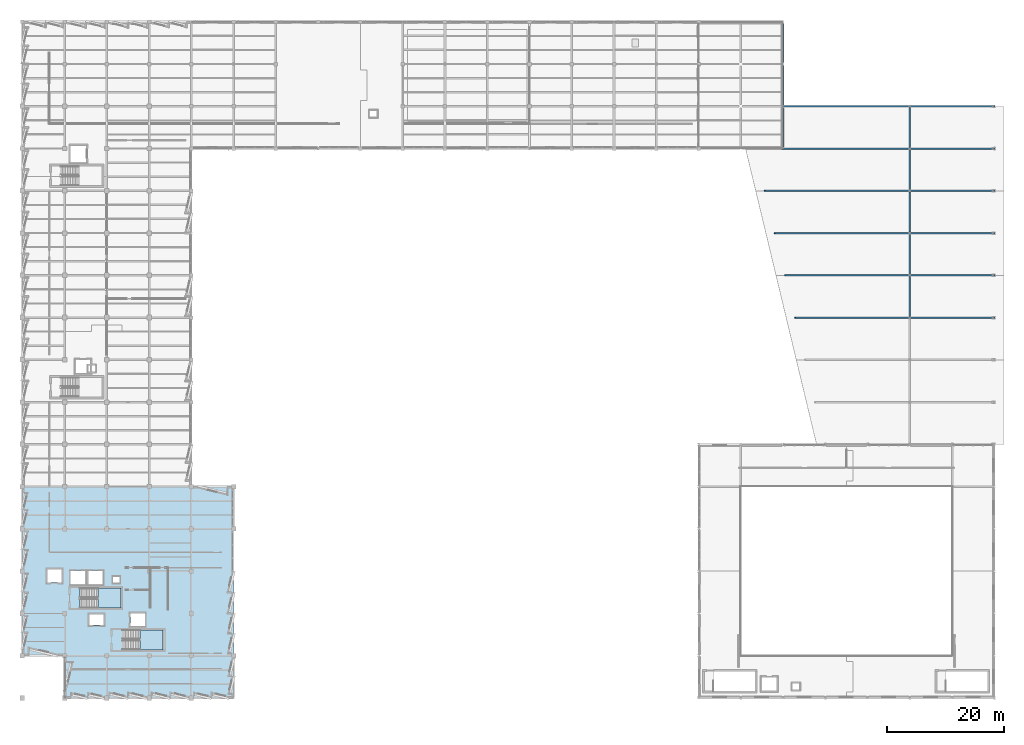
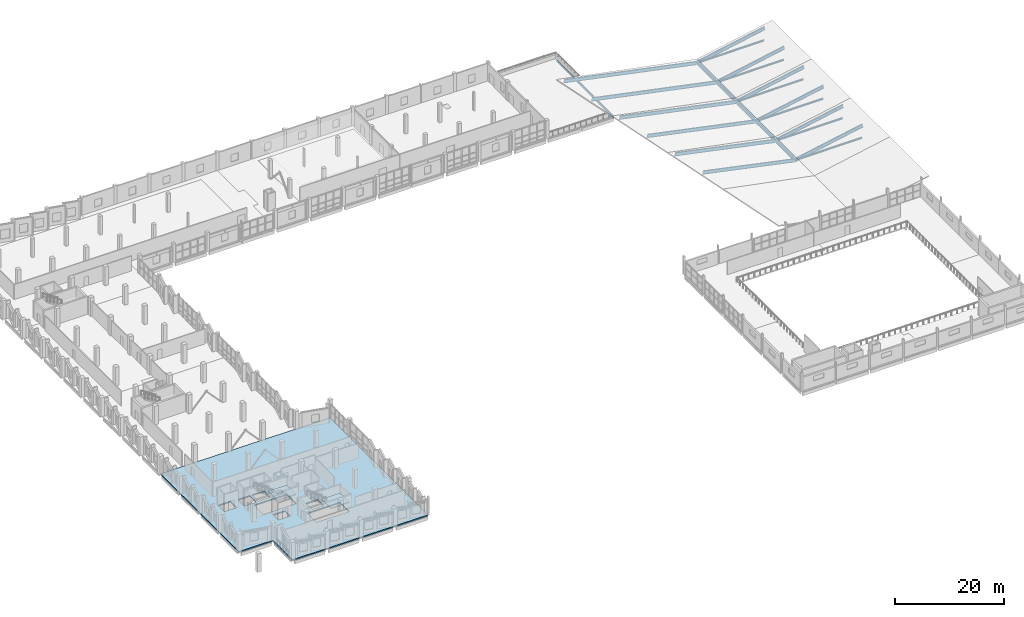
# One storey, part 58 of 94: 20 beams, 6 members, 3 slabs, 2 elements without a shape of their own.
"""IFC4 building model written with IfcOpenShell, lengths in metres."""

from ifc_helpers import new_model, si_unit, direction, frame, origin, origin_2d, place, context, subcontext, project, spatial, polyline, i_section, outline, extrude, material, layer, layer_set, material_profile, profile_set, type_object, element, aggregate, save


model = new_model("IFC4")

# Units and contexts
model_context = context("Model", 3, precision=1e-05, world=origin(), true_north=direction((0.0, 1.0)))
body_context = subcontext(model_context, "Body", "Model", "MODEL_VIEW")
ifc_project = project(units=[si_unit("LENGTHUNIT", "METRE"), si_unit("AREAUNIT", "SQUARE_METRE"), si_unit("VOLUMEUNIT", "CUBIC_METRE"), si_unit("PLANEANGLEUNIT", "RADIAN"), si_unit("MASSUNIT", "GRAM", prefix="KILO")], contexts=[model_context])

# Site, building, storey
site_placement = place(None, origin())
site = spatial("IfcSite", under=ifc_project, at=site_placement, CompositionType="ELEMENT")
building_placement = place(site_placement, origin())
building = spatial("IfcBuilding", under=site, at=building_placement, Name="Kalmorath City Hall", CompositionType="ELEMENT")
storey_placement = place(building_placement, frame((0.0, 0.0, 14.699951171875)))
storey = spatial("IfcBuildingStorey", under=building, at=storey_placement, Name="L03", CompositionType="ELEMENT", Elevation=14.699951171875)

# Members
ifc_material_1 = material(Name="Steel ASTM A992 Grade 50", Category="steel")
ifc_material_profile_1 = material_profile(ifc_material_1, i_section(OverallWidth=0.256103515625, OverallDepth=0.360107421875, WebThickness=0.011474609375, FlangeThickness=0.02001953125, FilletRadius=0.014892578125, at=origin_2d()), Name="W14X74")
ifc_profile_set_1 = profile_set([ifc_material_profile_1], Name="Steel ASTM A992 Grade 50")
member_type = type_object("IfcMemberType", Name="Steel butterfly V-strut W14X74", PredefinedType="BRACE", material=ifc_profile_set_1)
for number, where, z_axis, x_axis, name in (
    (1, (165.471923828125, 64.800048828125, 0.0), (-0.999984355294, 0.0, -0.00559367211), (0.0, -1.0, 0.0), "Library butterfly V-strut BR6-4"),
    (2, (165.471923828125, 72.0, 0.0), (-0.999984355294, 0.0, -0.00559367211), (0.0, -1.0, 0.0), "Library butterfly V-strut BR6-5"),
    (3, (165.471923828125, 79.199951171875, 0.0), (-0.999984355294, 0.0, -0.00559367211), (0.0, -1.0, 0.0), "Library butterfly V-strut BR6-6"),
    (4, (165.471923828125, 86.39990234375, 0.0), (-0.999984355294, 0.0, -0.00559367211), (0.0, -1.0, 0.0), "Library butterfly V-strut BR6-7"),
    (5, (165.471923828125, 93.60009765625, 0.0), (-0.999984355294, 0.0, -0.00559367211), (0.0, -1.0, 0.0), "Library butterfly V-strut BR6-8"),
    (6, (165.471923828125, 100.800048828125, 0.0), (-0.999984355294, 0.0, -0.00559367211), (0.0, -1.0, 0.0), "Library butterfly V-strut BR6-9"),
):
    element("IfcMember", number, at=place(storey_placement, frame(where, z_axis=z_axis, x_axis=x_axis)), inside=storey, type_object=member_type, Name=name, PredefinedType="BRACE", context=body_context, shape_type="SweptSolid", body=[
        extrude(i_section(OverallWidth=0.256103515625, OverallDepth=0.360107421875, WebThickness=0.011474609375, FlangeThickness=0.02001953125, FilletRadius=0.014892578125, at=origin_2d()), origin(), (0.0, 0.0, 1.0), 14.272216796875),
    ])

# Beams
ifc_material_2 = material(Name="Steel ASTM A992 Grade 50", Category="steel")
ifc_material_profile_2 = material_profile(ifc_material_2, i_section(OverallWidth=0.26611328125, OverallDepth=0.758056640625, WebThickness=0.013916015625, FlangeThickness=0.019287109375, FilletRadius=0.02001953125, at=origin_2d()), Name="W30X108")
ifc_profile_set_2 = profile_set([ifc_material_profile_2], Name="Steel ASTM A992 Grade 50")
beam_type_1 = type_object("IfcBeamType", Name="Steel butterfly roof girder W30X108", PredefinedType="BEAM", material=ifc_profile_set_2)
beam_1_placement = place(storey_placement, frame((131.6142578125, 64.800048828125, 4.019287109375), z_axis=(0.97879273033, 0.0, -0.204853096272), x_axis=(0.0, 1.0, 0.0)))
element("IfcBeam", 7, at=beam_1_placement, inside=storey, type_object=beam_type_1, Name="Library butterfly west girder SG4-4", PredefinedType="BEAM", context=body_context, shape_type="SweptSolid", body=[
    extrude(i_section(OverallWidth=0.26611328125, OverallDepth=0.758056640625, WebThickness=0.013916015625, FlangeThickness=0.019287109375, FilletRadius=0.02001953125, at=origin_2d()), origin(), (0.0, 0.0, 1.0), 20.010009765625),
])
beam_2_placement = place(storey_placement, frame((151.199951171875, 64.800048828125, -0.079833984375), z_axis=(0.981618247843, 0.0, 0.190854959332), x_axis=(0.0, 1.0, 0.0)))
element("IfcBeam", 8, at=beam_2_placement, inside=storey, type_object=beam_type_1, Name="Library butterfly east girder SG4-4", PredefinedType="BEAM", context=body_context, shape_type="SweptSolid", body=[
    extrude(i_section(OverallWidth=0.26611328125, OverallDepth=0.758056640625, WebThickness=0.013916015625, FlangeThickness=0.019287109375, FilletRadius=0.02001953125, at=origin_2d()), origin(), (0.0, 0.0, 1.0), 14.669921875),
])
beam_3_placement = place(storey_placement, frame((129.8857421875, 72.0, 4.3564453125), z_axis=(0.979018746593, 0.0, -0.203770198554), x_axis=(0.0, 1.0, 0.0)))
element("IfcBeam", 9, at=beam_3_placement, inside=storey, type_object=beam_type_1, Name="Library butterfly west girder SG4-5", PredefinedType="BEAM", context=body_context, shape_type="SweptSolid", body=[
    extrude(i_section(OverallWidth=0.26611328125, OverallDepth=0.758056640625, WebThickness=0.013916015625, FlangeThickness=0.019287109375, FilletRadius=0.02001953125, at=origin_2d()), origin(), (0.0, 0.0, 1.0), 21.77099609375),
])
beam_4_placement = place(storey_placement, frame((151.199951171875, 72.0, -0.079833984375), z_axis=(0.981618247843, 0.0, 0.190854959332), x_axis=(0.0, 1.0, 0.0)))
element("IfcBeam", 10, at=beam_4_placement, inside=storey, type_object=beam_type_1, Name="Library butterfly east girder SG4-5", PredefinedType="BEAM", context=body_context, shape_type="SweptSolid", body=[
    extrude(i_section(OverallWidth=0.26611328125, OverallDepth=0.758056640625, WebThickness=0.013916015625, FlangeThickness=0.019287109375, FilletRadius=0.02001953125, at=origin_2d()), origin(), (0.0, 0.0, 1.0), 14.669921875),
])
beam_5_placement = place(storey_placement, frame((128.1572265625, 79.199951171875, 4.693359375), z_axis=(0.979212054409, 0.0, -0.202839228206), x_axis=(0.0, 1.0, 0.0)))
element("IfcBeam", 11, at=beam_5_placement, inside=storey, type_object=beam_type_1, Name="Library butterfly west girder SG4-6", PredefinedType="BEAM", context=body_context, shape_type="SweptSolid", body=[
    extrude(i_section(OverallWidth=0.26611328125, OverallDepth=0.758056640625, WebThickness=0.013916015625, FlangeThickness=0.019287109375, FilletRadius=0.02001953125, at=origin_2d()), origin(), (0.0, 0.0, 1.0), 23.531982421875),
])
beam_6_placement = place(storey_placement, frame((151.199951171875, 79.199951171875, -0.079833984375), z_axis=(0.981618247843, 0.0, 0.190854959332), x_axis=(0.0, 1.0, 0.0)))
element("IfcBeam", 12, at=beam_6_placement, inside=storey, type_object=beam_type_1, Name="Library butterfly east girder SG4-6", PredefinedType="BEAM", context=body_context, shape_type="SweptSolid", body=[
    extrude(i_section(OverallWidth=0.26611328125, OverallDepth=0.758056640625, WebThickness=0.013916015625, FlangeThickness=0.019287109375, FilletRadius=0.02001953125, at=origin_2d()), origin(), (0.0, 0.0, 1.0), 14.669921875),
])
beam_7_placement = place(storey_placement, frame((126.4287109375, 86.39990234375, 5.030517578125), z_axis=(0.97937582655, 0.0, -0.202047000398), x_axis=(0.0, 1.0, 0.0)))
element("IfcBeam", 13, at=beam_7_placement, inside=storey, type_object=beam_type_1, Name="Library butterfly west girder SG4-7", PredefinedType="BEAM", context=body_context, shape_type="SweptSolid", body=[
    extrude(i_section(OverallWidth=0.26611328125, OverallDepth=0.758056640625, WebThickness=0.013916015625, FlangeThickness=0.019287109375, FilletRadius=0.02001953125, at=origin_2d()), origin(), (0.0, 0.0, 1.0), 25.29296875),
])
beam_8_placement = place(storey_placement, frame((151.199951171875, 86.39990234375, -0.079833984375), z_axis=(0.981618247843, 0.0, 0.190854959332), x_axis=(0.0, 1.0, 0.0)))
element("IfcBeam", 14, at=beam_8_placement, inside=storey, type_object=beam_type_1, Name="Library butterfly east girder SG4-7", PredefinedType="BEAM", context=body_context, shape_type="SweptSolid", body=[
    extrude(i_section(OverallWidth=0.26611328125, OverallDepth=0.758056640625, WebThickness=0.013916015625, FlangeThickness=0.019287109375, FilletRadius=0.02001953125, at=origin_2d()), origin(), (0.0, 0.0, 1.0), 14.669921875),
])
beam_9_placement = place(storey_placement, frame((124.699951171875, 93.60009765625, 5.367431640625), z_axis=(0.9795199027, 0.0, -0.201347362075), x_axis=(0.0, 1.0, 0.0)))
element("IfcBeam", 15, at=beam_9_placement, inside=storey, type_object=beam_type_1, Name="Library butterfly west girder SG4-8", PredefinedType="BEAM", context=body_context, shape_type="SweptSolid", body=[
    extrude(i_section(OverallWidth=0.26611328125, OverallDepth=0.758056640625, WebThickness=0.013916015625, FlangeThickness=0.019287109375, FilletRadius=0.02001953125, at=origin_2d()), origin(), (0.0, 0.0, 1.0), 27.053955078125),
])
beam_10_placement = place(storey_placement, frame((151.199951171875, 93.60009765625, -0.079833984375), z_axis=(0.981618247843, 0.0, 0.190854959332), x_axis=(0.0, 1.0, 0.0)))
element("IfcBeam", 16, at=beam_10_placement, inside=storey, type_object=beam_type_1, Name="Library butterfly east girder SG4-8", PredefinedType="BEAM", context=body_context, shape_type="SweptSolid", body=[
    extrude(i_section(OverallWidth=0.26611328125, OverallDepth=0.758056640625, WebThickness=0.013916015625, FlangeThickness=0.019287109375, FilletRadius=0.02001953125, at=origin_2d()), origin(), (0.0, 0.0, 1.0), 14.669921875),
])
beam_11_placement = place(storey_placement, frame((122.971435546875, 100.800048828125, 5.70458984375), z_axis=(0.979643947497, 0.0, -0.200742960355), x_axis=(0.0, 1.0, 0.0)))
element("IfcBeam", 17, at=beam_11_placement, inside=storey, type_object=beam_type_1, Name="Library butterfly west girder SG4-9", PredefinedType="BEAM", context=body_context, shape_type="SweptSolid", body=[
    extrude(i_section(OverallWidth=0.26611328125, OverallDepth=0.758056640625, WebThickness=0.013916015625, FlangeThickness=0.019287109375, FilletRadius=0.02001953125, at=origin_2d()), origin(), (0.0, 0.0, 1.0), 28.815185546875),
])
beam_12_placement = place(storey_placement, frame((151.199951171875, 100.800048828125, -0.079833984375), z_axis=(0.981618247843, 0.0, 0.190854959332), x_axis=(0.0, 1.0, 0.0)))
element("IfcBeam", 18, at=beam_12_placement, inside=storey, type_object=beam_type_1, Name="Library butterfly east girder SG4-9", PredefinedType="BEAM", context=body_context, shape_type="SweptSolid", body=[
    extrude(i_section(OverallWidth=0.26611328125, OverallDepth=0.758056640625, WebThickness=0.013916015625, FlangeThickness=0.019287109375, FilletRadius=0.02001953125, at=origin_2d()), origin(), (0.0, 0.0, 1.0), 14.669921875),
])
ifc_material_3 = material(Name="Steel ASTM A992 Grade 50", Category="steel")
ifc_material_profile_3 = material_profile(ifc_material_3, i_section(OverallWidth=0.2919921875, OverallDepth=0.841064453125, WebThickness=0.0146484375, FlangeThickness=0.021728515625, FilletRadius=0.02197265625, at=origin_2d()), Name="W33X130")
ifc_profile_set_3 = profile_set([ifc_material_profile_3], Name="Steel ASTM A992 Grade 50")
beam_type_2 = type_object("IfcBeamType", Name="Steel primary girder W33X130", PredefinedType="BEAM", material=ifc_profile_set_3)
for number, where, z_axis, x_axis, name in (
    (19, (151.199951171875, 64.97509765625, 0.1201171875), (0.0, 1.0, 0.0), (-1.0, 0.0, 0.0), "Library butterfly valley girder SG2-4"),
    (20, (151.199951171875, 72.175048828125, 0.1201171875), (0.0, 1.0, 0.0), (-1.0, 0.0, 0.0), "Library butterfly valley girder SG2-5"),
):
    element("IfcBeam", number, at=place(storey_placement, frame(where, z_axis=z_axis, x_axis=x_axis)), inside=storey, type_object=beam_type_2, Name=name, PredefinedType="BEAM", context=body_context, shape_type="SweptSolid", body=[
        extrude(i_section(OverallWidth=0.2919921875, OverallDepth=0.841064453125, WebThickness=0.0146484375, FlangeThickness=0.021728515625, FilletRadius=0.02197265625, at=origin_2d()), origin(), (0.0, 0.0, 1.0), 6.849853515625),
    ])
for number, where, z_axis, x_axis, name in (
    (21, (151.199951171875, 79.375, 0.1201171875), (0.0, 1.0, 0.0), (-1.0, 0.0, 0.0), "Library butterfly valley girder SG2-6"),
    (22, (151.199951171875, 86.574951171875, 0.1201171875), (0.0, 1.0, 0.0), (-1.0, 0.0, 0.0), "Library butterfly valley girder SG2-7"),
    (23, (151.199951171875, 93.77490234375, 0.1201171875), (0.0, 1.0, 0.0), (-1.0, 0.0, 0.0), "Library butterfly valley girder SG2-8"),
):
    element("IfcBeam", number, at=place(storey_placement, frame(where, z_axis=z_axis, x_axis=x_axis)), inside=storey, type_object=beam_type_2, Name=name, PredefinedType="BEAM", context=body_context, shape_type="SweptSolid", body=[
        extrude(i_section(OverallWidth=0.2919921875, OverallDepth=0.841064453125, WebThickness=0.0146484375, FlangeThickness=0.021728515625, FilletRadius=0.02197265625, at=origin_2d()), origin(), (0.0, 0.0, 1.0), 6.85009765625),
    ])
ifc_material_4 = material(Name="Steel ASTM A992 Grade 50", Category="steel")
ifc_material_profile_4 = material_profile(ifc_material_4, i_section(OverallWidth=0.1650390625, OverallDepth=0.52490234375, WebThickness=0.0087890625, FlangeThickness=0.011474609375, FilletRadius=0.014892578125, at=origin_2d()), Name="W21X44")
ifc_profile_set_4 = profile_set([ifc_material_profile_4], Name="Steel ASTM A992 Grade 50")
beam_type_3 = type_object("IfcBeamType", Name="Steel spandrel beam W21X44", PredefinedType="SPANDREL", material=ifc_profile_set_4)
beam_13_placement = place(storey_placement, frame((129.60009765625, 93.89990234375, -0.5263671875), z_axis=(0.0, 1.0, 0.0), x_axis=(-1.0, 0.0, 0.0)))
element("IfcBeam", 24, at=beam_13_placement, inside=storey, type_object=beam_type_3, Name="L03 girder SB4 Y19/14-15", PredefinedType="SPANDREL", context=body_context, shape_type="SweptSolid", body=[
    extrude(i_section(OverallWidth=0.1650390625, OverallDepth=0.52490234375, WebThickness=0.0087890625, FlangeThickness=0.011474609375, FilletRadius=0.014892578125, at=origin_2d()), origin(), (0.0, 0.0, 1.0), 6.60009765625),
])
for number, where, z_axis, x_axis, name in (
    (25, (129.60009765625, 101.10009765625, -0.5263671875), (0.0, 1.0, 0.0), (-1.0, 0.0, 0.0), "L03 girder SB4 Y19/15-16"),
    (26, (129.60009765625, 108.300048828125, -0.5263671875), (0.0, 1.0, 0.0), (-1.0, 0.0, 0.0), "L03 girder SB4 Y19/16-17"),
):
    element("IfcBeam", number, at=place(storey_placement, frame(where, z_axis=z_axis, x_axis=x_axis)), inside=storey, type_object=beam_type_3, Name=name, PredefinedType="SPANDREL", context=body_context, shape_type="SweptSolid", body=[
        extrude(i_section(OverallWidth=0.1650390625, OverallDepth=0.52490234375, WebThickness=0.0087890625, FlangeThickness=0.011474609375, FilletRadius=0.014892578125, at=origin_2d()), origin(), (0.0, 0.0, 1.0), 6.599853515625),
    ])

# Stair, slab
ifc_material_5 = material(Name="Concrete C40/50", Category="concrete")
stair_type = type_object("IfcStairType", Name="Dogleg concrete exit stair 24R x 175mm W1600", PredefinedType="HALF_TURN_STAIR", material=ifc_material_5)
stair_1_placement = place(storey_placement, origin())
stair_1 = element("IfcStair", 27, at=stair_1_placement, inside=storey, type_object=stair_type, Name="L03 Protected exit stair ST-1", PredefinedType="HALF_TURN_STAIR")
ifc_material_6 = material(Name="Concrete C40/50", Category="concrete")
ifc_layer_1 = layer(ifc_material_6, 0.199951171875)
ifc_layer_set_1 = layer_set([ifc_layer_1], Name="Concrete C40/50")
slab_type_1 = type_object("IfcSlabType", Name="Concrete stair half-landing slab 200", PredefinedType="LANDING", material=ifc_layer_set_1)
slab_1_placement = place(storey_placement, frame((0.0, 0.0, 1.900146484375)))
slab_1 = element("IfcSlab", 28, at=slab_1_placement, type_object=slab_type_1, Name="ST-1 landing 1", PredefinedType="LANDING", context=body_context, shape_type="SweptSolid", body=[
    extrude(outline(polyline([(12.8798828125, 15.300048828125), (16.800048828125, 15.300048828125), (16.800048828125, 18.699951171875), (12.8798828125, 18.699951171875), (12.8798828125, 15.300048828125)])), origin(), (0.0, 0.0, 1.0), 0.199951171875),
])
aggregate(stair_1, [slab_1])

stair_2_placement = place(storey_placement, origin())
stair_2 = element("IfcStair", 29, at=stair_2_placement, inside=storey, type_object=stair_type, Name="L03 Protected exit stair ST-2", PredefinedType="HALF_TURN_STAIR")
slab_2_placement = place(storey_placement, frame((0.0, 0.0, 1.900146484375)))
slab_2 = element("IfcSlab", 30, at=slab_2_placement, type_object=slab_type_1, Name="ST-2 landing 1", PredefinedType="LANDING", context=body_context, shape_type="SweptSolid", body=[
    extrude(outline(polyline([(20.080078125, 8.199951171875), (24.0, 8.199951171875), (24.0, 11.60009765625), (20.080078125, 11.60009765625), (20.080078125, 8.199951171875)])), origin(), (0.0, 0.0, 1.0), 0.199951171875),
])
aggregate(stair_2, [slab_2])

# Slab
ifc_material_7 = material(Name="Concrete C40/50", Category="concrete")
ifc_layer_2 = layer(ifc_material_7, 0.260009765625)
ifc_layer_set_2 = layer_set([ifc_layer_2], Name="Concrete C40/50")
slab_type_2 = type_object("IfcSlabType", Name="Concrete upper floor slab 260", PredefinedType="FLOOR", material=ifc_layer_set_2)
slab_3_placement = place(storey_placement, frame((0.0, 0.0, -0.260009765625)))
element("IfcSlab", 31, at=slab_3_placement, inside=storey, type_object=slab_type_2, Name="L03 Corner Administration Block slab FS4-1", PredefinedType="FLOOR", context=body_context, shape_type="SweptSolid", body=[
    extrude(outline(polyline([(0.0, 36.0), (36.0, 36.0), (36.0, 0.0), (7.199951171875, 0.0), (7.199951171875, 7.199951171875), (0.0, 7.199951171875), (0.0, 36.0)]), holes=[polyline([(16.800048828125, 15.300048828125), (16.800048828125, 18.699951171875), (9.840087890625, 18.699951171875), (9.840087890625, 15.300048828125), (16.800048828125, 15.300048828125)]), polyline([(4.199951171875, 19.64990234375), (6.699951171875, 19.64990234375), (6.699951171875, 21.949951171875), (4.199951171875, 21.949951171875), (4.199951171875, 19.64990234375)]), polyline([(8.199951171875, 21.699951171875), (8.199951171875, 19.39990234375), (10.699951171875, 19.39990234375), (10.699951171875, 21.699951171875), (8.199951171875, 21.699951171875)]), polyline([(13.699951171875, 21.699951171875), (11.199951171875, 21.699951171875), (11.199951171875, 19.39990234375), (13.699951171875, 19.39990234375), (13.699951171875, 21.699951171875)]), polyline([(24.0, 8.199951171875), (24.0, 11.60009765625), (17.0400390625, 11.60009765625), (17.0400390625, 8.199951171875), (24.0, 8.199951171875)]), polyline([(11.39990234375, 12.39990234375), (13.89990234375, 12.39990234375), (13.89990234375, 14.300048828125), (11.39990234375, 14.300048828125), (11.39990234375, 12.39990234375)]), polyline([(18.39990234375, 14.39990234375), (18.39990234375, 12.199951171875), (20.89990234375, 12.199951171875), (20.89990234375, 14.39990234375), (18.39990234375, 14.39990234375)]), polyline([(16.60009765625, 20.679931640625), (15.39990234375, 20.679931640625), (15.39990234375, 19.60009765625), (16.60009765625, 19.60009765625), (16.60009765625, 20.679931640625)])]), origin(), (0.0, 0.0, 1.0), 0.260009765625),
])

save(model, "model.ifc")
